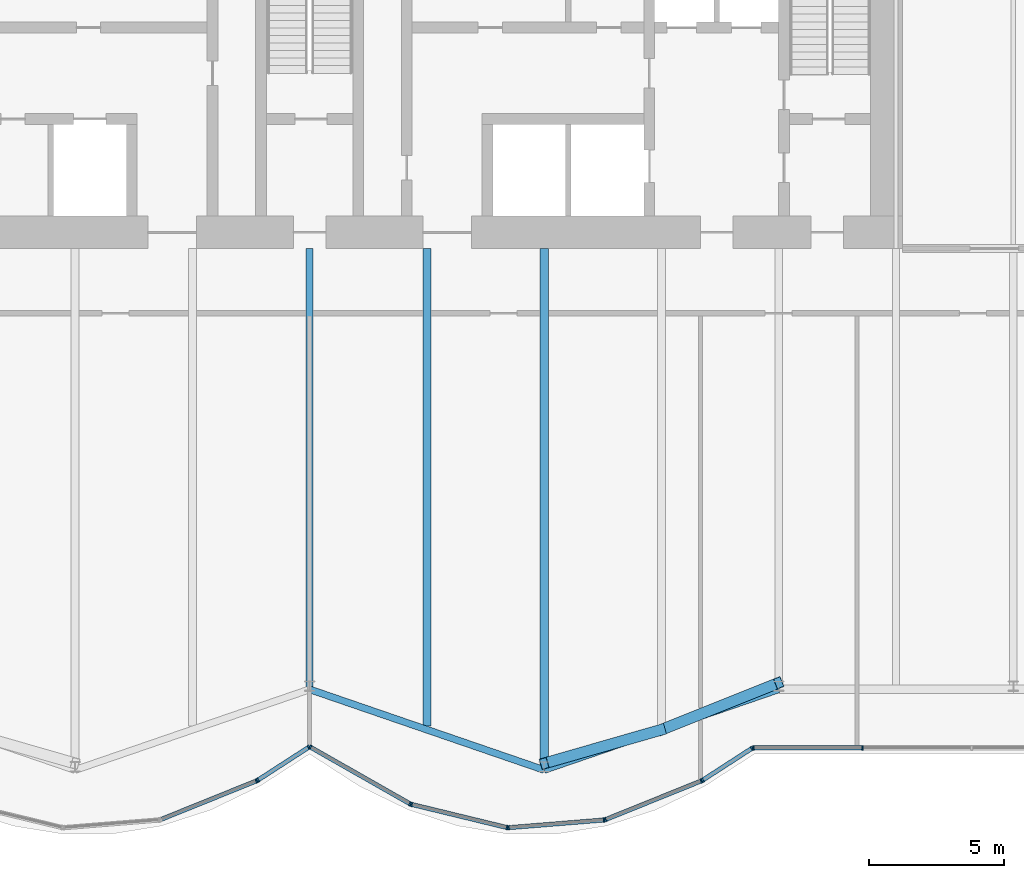
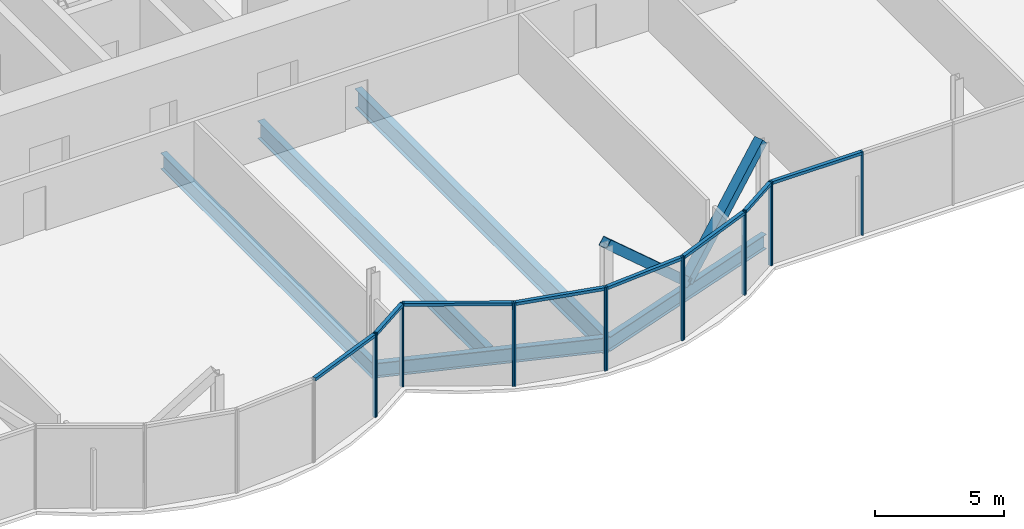
# One storey, part 8 of 20: 25 members, 5 beams, 3 elements without a shape of their own.
"""IFC4 building model written with IfcOpenShell, lengths in metres."""

from ifc_helpers import new_model, si_unit, direction, frame, origin, origin_2d, place, context, subcontext, project, spatial, rectangle, hollow_rectangle, i_section, extrude, material, material_profile, profile_set, type_object, element, aggregate, save


model = new_model("IFC4")

# Units and contexts
model_context = context("Model", 3, precision=1e-05, world=origin(), true_north=direction((0.0, 1.0)))
body_context = subcontext(model_context, "Body", "Model", "MODEL_VIEW")
ifc_project = project(units=[si_unit("LENGTHUNIT", "METRE"), si_unit("AREAUNIT", "SQUARE_METRE"), si_unit("VOLUMEUNIT", "CUBIC_METRE"), si_unit("PLANEANGLEUNIT", "RADIAN"), si_unit("MASSUNIT", "GRAM", prefix="KILO")], contexts=[model_context])

# Site, building, storey
site_placement = place(None, origin())
site = spatial("IfcSite", under=ifc_project, at=site_placement, CompositionType="ELEMENT")
building_placement = place(site_placement, origin())
building = spatial("IfcBuilding", under=site, at=building_placement, Name="Bicima Exchange Tower", CompositionType="ELEMENT")
storey_placement = place(building_placement, frame((0.0, 0.0, 215.5)))
storey = spatial("IfcBuildingStorey", under=building, at=storey_placement, Name="L48", CompositionType="ELEMENT", Elevation=215.5)

# Beams
ifc_material_1 = material(Name="Steel ASTM A992 Gr 50", Category="steel")
ifc_material_profile_1 = material_profile(ifc_material_1, i_section(OverallWidth=0.2666015625, OverallDepth=0.75439453125, WebThickness=0.01318359375, FlangeThickness=0.01708984375, at=origin_2d()))
ifc_profile_set_1 = profile_set([ifc_material_profile_1], Name="Steel ASTM A992 Gr 50")
beam_type_1 = type_object("IfcBeamType", Name="Floor beam W30x99", PredefinedType="JOIST", material=ifc_profile_set_1)
beam_1_placement = place(storey_placement, frame((0.0, -13.0, -0.527099609375), z_axis=(0.0, -1.0, 0.0), x_axis=(1.0, 0.0, 0.0)))
element("IfcBeam", 1, at=beam_1_placement, inside=storey, type_object=beam_type_1, Name="Floor beam", PredefinedType="JOIST", context=body_context, shape_type="SweptSolid", body=[
    extrude(i_section(OverallWidth=0.2666015625, OverallDepth=0.75439453125, WebThickness=0.01318359375, FlangeThickness=0.01708984375, at=origin_2d()), origin(), (0.0, 0.0, 1.0), 16.35205078125),
])
ifc_material_profile_2 = material_profile(ifc_material_1, i_section(OverallWidth=0.2919921875, OverallDepth=0.835693359375, WebThickness=0.013916015625, FlangeThickness=0.018798828125, at=origin_2d()))
ifc_profile_set_2 = profile_set([ifc_material_profile_2], Name="Steel ASTM A992 Gr 50")
beam_type_2 = type_object("IfcBeamType", Name="Floor beam W33x118", PredefinedType="JOIST", material=ifc_profile_set_2)
beam_2_placement = place(storey_placement, frame((4.35009765625, -13.0, -0.56787109375), z_axis=(0.0, -1.0, 0.0), x_axis=(1.0, 0.0, 0.0)))
element("IfcBeam", 2, at=beam_2_placement, inside=storey, type_object=beam_type_2, Name="Floor beam", PredefinedType="JOIST", context=body_context, shape_type="SweptSolid", body=[
    extrude(i_section(OverallWidth=0.2919921875, OverallDepth=0.835693359375, WebThickness=0.013916015625, FlangeThickness=0.018798828125, at=origin_2d()), origin(), (0.0, 0.0, 1.0), 17.7119140625),
])
ifc_material_profile_3 = material_profile(ifc_material_1, i_section(OverallWidth=0.3046875, OverallDepth=0.904296875, WebThickness=0.01513671875, FlangeThickness=0.02001953125, at=origin_2d()))
ifc_profile_set_3 = profile_set([ifc_material_profile_3], Name="Steel ASTM A992 Gr 50")
beam_type_3 = type_object("IfcBeamType", Name="Floor beam W36x135", PredefinedType="JOIST", material=ifc_profile_set_3)
beam_3_placement = place(storey_placement, frame((8.699951171875, -13.0, -0.60205078125), z_axis=(0.0, -1.0, 0.0), x_axis=(1.0, 0.0, 0.0)))
element("IfcBeam", 3, at=beam_3_placement, inside=storey, type_object=beam_type_3, Name="Floor beam", PredefinedType="JOIST", context=body_context, shape_type="SweptSolid", body=[
    extrude(i_section(OverallWidth=0.3046875, OverallDepth=0.904296875, WebThickness=0.01513671875, FlangeThickness=0.02001953125, at=origin_2d()), origin(), (0.0, 0.0, 1.0), 19.20751953125),
])
ifc_material_profile_4 = material_profile(ifc_material_1, i_section(OverallWidth=0.256591796875, OverallDepth=0.693359375, WebThickness=0.014404296875, FlangeThickness=0.023681640625, at=origin_2d()))
ifc_profile_set_4 = profile_set([ifc_material_profile_4], Name="Steel ASTM A992 Gr 50")
beam_type_4 = type_object("IfcBeamType", Name="Front girder W27x114", PredefinedType="BEAM", material=ifc_profile_set_4)
for number, where, z_axis, x_axis, name in (
    (4, (0.0, -29.35205078125, -0.49658203125), (0.945674616091, -0.32511462668, 0.0), (0.32511462668, 0.945674616091, 0.0), "Front girder"),
    (5, (8.699951171875, -32.343017578125, -0.49658203125), (0.945674616091, 0.32511462668, 0.0), (-0.32511462668, 0.945674616091, 0.0), "Front girder"),
):
    element("IfcBeam", number, at=place(storey_placement, frame(where, z_axis=z_axis, x_axis=x_axis)), inside=storey, type_object=beam_type_4, Name=name, PredefinedType="BEAM", context=body_context, shape_type="SweptSolid", body=[
        extrude(i_section(OverallWidth=0.256591796875, OverallDepth=0.693359375, WebThickness=0.014404296875, FlangeThickness=0.023681640625, at=origin_2d()), origin(), (0.0, 0.0, 1.0), 9.19970703125),
    ])

# Curtain wall, members
ifc_material_2 = material(Name="Anodised bronze aluminium", Category="aluminium")
curtain_wall_type = type_object("IfcCurtainWallType", Name="Front glass wall", PredefinedType="NOTDEFINED", material=ifc_material_2)
curtain_wall_1_placement = place(storey_placement, origin())
curtain_wall_1 = element("IfcCurtainWall", 6, at=curtain_wall_1_placement, inside=storey, type_object=curtain_wall_type, Name="Front glass wall L48 run 6", PredefinedType="NOTDEFINED")
ifc_material_profile_5 = material_profile(ifc_material_2, rectangle(XDim=0.159912109375, YDim=0.06005859375, at=origin_2d()))
ifc_profile_set_5 = profile_set([ifc_material_profile_5], Name="Anodised bronze aluminium")
member_type_1 = type_object("IfcMemberType", Name="Front glass wall mullion 60 x 160", PredefinedType="MULLION", material=ifc_profile_set_5)
member_1_placement = place(storey_placement, frame((-1.97412109375, -32.74755859375, 0.0), z_axis=(0.0, 0.0, 1.0), x_axis=(-0.374705304, 0.92714396679, 0.0)))
member_1 = element("IfcMember", 7, at=member_1_placement, type_object=member_type_1, Name="Front glass wall mullion 2", PredefinedType="MULLION", context=body_context, shape_type="SweptSolid", body=[
    extrude(rectangle(XDim=0.159912109375, YDim=0.06005859375, at=origin_2d()), origin(), (0.0, 0.0, 1.0), 3.949951171875),
])
member_2_placement = place(storey_placement, frame((-1.921142578125, -32.72021484375, 0.0), z_axis=(0.0, 0.0, 1.0), x_axis=(-0.542897457326, 0.839798994301, 0.0)))
member_2 = element("IfcMember", 8, at=member_2_placement, type_object=member_type_1, Name="Front glass wall mullion 1", PredefinedType="MULLION", context=body_context, shape_type="SweptSolid", body=[
    extrude(rectangle(XDim=0.159912109375, YDim=0.06005859375, at=origin_2d()), origin(), (0.0, 0.0, 1.0), 3.949951171875),
])
member_3_placement = place(storey_placement, frame((-0.025146484375, -31.494384765625, 0.0), z_axis=(0.0, 0.0, 1.0), x_axis=(-0.542897457326, 0.839798994301, 0.0)))
member_3 = element("IfcMember", 9, at=member_3_placement, type_object=member_type_1, Name="Front glass wall mullion 2", PredefinedType="MULLION", context=body_context, shape_type="SweptSolid", body=[
    extrude(rectangle(XDim=0.159912109375, YDim=0.06005859375, at=origin_2d()), origin(), (0.0, 0.0, 1.0), 3.949951171875),
])

curtain_wall_2_placement = place(storey_placement, origin())
curtain_wall_2 = element("IfcCurtainWall", 10, at=curtain_wall_2_placement, inside=storey, type_object=curtain_wall_type, Name="Front glass wall L48 run 11", PredefinedType="NOTDEFINED")
member_4_placement = place(storey_placement, frame((0.026123046875, -31.492919921875, 0.0), z_axis=(0.0, 0.0, 1.0), x_axis=(0.494330311331, 0.869274147378, 0.0)))
member_4 = element("IfcMember", 11, at=member_4_placement, type_object=member_type_1, Name="Front glass wall mullion 1", PredefinedType="MULLION", context=body_context, shape_type="SweptSolid", body=[
    extrude(rectangle(XDim=0.159912109375, YDim=0.06005859375, at=origin_2d()), origin(), (0.0, 0.0, 1.0), 3.949951171875),
])
member_5_placement = place(storey_placement, frame((3.7265625, -33.597412109375, 0.0), z_axis=(0.0, 0.0, 1.0), x_axis=(0.494330311331, 0.869274147378, 0.0)))
member_5 = element("IfcMember", 12, at=member_5_placement, type_object=member_type_1, Name="Front glass wall mullion 2", PredefinedType="MULLION", context=body_context, shape_type="SweptSolid", body=[
    extrude(rectangle(XDim=0.159912109375, YDim=0.06005859375, at=origin_2d()), origin(), (0.0, 0.0, 1.0), 3.949951171875),
])
member_6_placement = place(storey_placement, frame((3.781982421875, -33.619384765625, 0.0), z_axis=(0.0, 0.0, 1.0), x_axis=(0.235681529503, 0.971830343553, 0.0)))
member_6 = element("IfcMember", 13, at=member_6_placement, type_object=member_type_1, Name="Front glass wall mullion 1", PredefinedType="MULLION", context=body_context, shape_type="SweptSolid", body=[
    extrude(rectangle(XDim=0.159912109375, YDim=0.06005859375, at=origin_2d()), origin(), (0.0, 0.0, 1.0), 3.949951171875),
])
member_7_placement = place(storey_placement, frame((7.322509765625, -34.477783203125, 0.0), z_axis=(0.0, 0.0, 1.0), x_axis=(0.235681529503, 0.971830343553, 0.0)))
member_7 = element("IfcMember", 14, at=member_7_placement, type_object=member_type_1, Name="Front glass wall mullion 2", PredefinedType="MULLION", context=body_context, shape_type="SweptSolid", body=[
    extrude(rectangle(XDim=0.159912109375, YDim=0.06005859375, at=origin_2d()), origin(), (0.0, 0.0, 1.0), 3.949951171875),
])
member_8_placement = place(storey_placement, frame((7.381591796875, -34.482666015625, 0.0), z_axis=(0.0, 0.0, 1.0), x_axis=(-0.080588612633, 0.99674744821, 0.0)))
member_8 = element("IfcMember", 15, at=member_8_placement, type_object=member_type_1, Name="Front glass wall mullion 1", PredefinedType="MULLION", context=body_context, shape_type="SweptSolid", body=[
    extrude(rectangle(XDim=0.159912109375, YDim=0.06005859375, at=origin_2d()), origin(), (0.0, 0.0, 1.0), 3.949951171875),
])
member_9_placement = place(storey_placement, frame((10.916015625, -34.19677734375, 0.0), z_axis=(0.0, 0.0, 1.0), x_axis=(-0.080588612633, 0.99674744821, 0.0)))
member_9 = element("IfcMember", 16, at=member_9_placement, type_object=member_type_1, Name="Front glass wall mullion 2", PredefinedType="MULLION", context=body_context, shape_type="SweptSolid", body=[
    extrude(rectangle(XDim=0.159912109375, YDim=0.06005859375, at=origin_2d()), origin(), (0.0, 0.0, 1.0), 3.949951171875),
])
member_10_placement = place(storey_placement, frame((10.973876953125, -34.18310546875, 0.0), z_axis=(0.0, 0.0, 1.0), x_axis=(-0.374705304, 0.92714396679, 0.0)))
member_10 = element("IfcMember", 17, at=member_10_placement, type_object=member_type_1, Name="Front glass wall mullion 1", PredefinedType="MULLION", context=body_context, shape_type="SweptSolid", body=[
    extrude(rectangle(XDim=0.159912109375, YDim=0.06005859375, at=origin_2d()), origin(), (0.0, 0.0, 1.0), 3.949951171875),
])
member_11_placement = place(storey_placement, frame((14.52587890625, -32.74755859375, 0.0), z_axis=(0.0, 0.0, 1.0), x_axis=(-0.374705304, 0.92714396679, 0.0)))
member_11 = element("IfcMember", 18, at=member_11_placement, type_object=member_type_1, Name="Front glass wall mullion 2", PredefinedType="MULLION", context=body_context, shape_type="SweptSolid", body=[
    extrude(rectangle(XDim=0.159912109375, YDim=0.06005859375, at=origin_2d()), origin(), (0.0, 0.0, 1.0), 3.949951171875),
])
member_12_placement = place(storey_placement, frame((14.578857421875, -32.72021484375, 0.0), z_axis=(0.0, 0.0, 1.0), x_axis=(-0.542909183079, 0.839791413941, 0.0)))
member_12 = element("IfcMember", 19, at=member_12_placement, type_object=member_type_1, Name="Front glass wall mullion 1", PredefinedType="MULLION", context=body_context, shape_type="SweptSolid", body=[
    extrude(rectangle(XDim=0.159912109375, YDim=0.06005859375, at=origin_2d()), origin(), (0.0, 0.0, 1.0), 3.949951171875),
])
member_13_placement = place(storey_placement, frame((16.406982421875, -31.538330078125, 0.0), z_axis=(0.0, 0.0, 1.0), x_axis=(-0.542909183079, 0.839791413941, 0.0)))
member_13 = element("IfcMember", 20, at=member_13_placement, type_object=member_type_1, Name="Front glass wall mullion 2", PredefinedType="MULLION", context=body_context, shape_type="SweptSolid", body=[
    extrude(rectangle(XDim=0.159912109375, YDim=0.06005859375, at=origin_2d()), origin(), (0.0, 0.0, 1.0), 3.949951171875),
])

curtain_wall_3_placement = place(storey_placement, origin())
curtain_wall_3 = element("IfcCurtainWall", 21, at=curtain_wall_3_placement, inside=storey, type_object=curtain_wall_type, Name="Front glass wall L48 run 16", PredefinedType="NOTDEFINED")
member_14_placement = place(storey_placement, frame((16.462158203125, -31.52197265625, 0.0), z_axis=(0.0, 0.0, 1.0), x_axis=(0.0, 1.0, 0.0)))
member_14 = element("IfcMember", 22, at=member_14_placement, type_object=member_type_1, Name="Front glass wall mullion 1", PredefinedType="MULLION", context=body_context, shape_type="SweptSolid", body=[
    extrude(rectangle(XDim=0.159912109375, YDim=0.06005859375, at=origin_2d()), origin(), (0.0, 0.0, 1.0), 3.949951171875),
])
member_15_placement = place(storey_placement, frame((20.51171875, -31.52197265625, 0.0), z_axis=(0.0, 0.0, 1.0), x_axis=(0.0, 1.0, 0.0)))
member_15 = element("IfcMember", 23, at=member_15_placement, type_object=member_type_1, Name="Front glass wall mullion 2", PredefinedType="MULLION", context=body_context, shape_type="SweptSolid", body=[
    extrude(rectangle(XDim=0.159912109375, YDim=0.06005859375, at=origin_2d()), origin(), (0.0, 0.0, 1.0), 3.949951171875),
])

# Member
ifc_material_profile_6 = material_profile(ifc_material_2, rectangle(XDim=0.159912109375, YDim=0.139892578125, at=origin_2d()))
ifc_profile_set_6 = profile_set([ifc_material_profile_6], Name="Anodised bronze aluminium")
member_type_2 = type_object("IfcMemberType", Name="Front glass wall transom 140 x 160", PredefinedType="USERDEFINED", material=ifc_profile_set_6)
member_16_placement = place(storey_placement, frame((-5.498291015625, -34.171875, 3.8798828125), z_axis=(0.927140215882, 0.374714584842, 0.0), x_axis=(-0.374714584842, 0.927140215882, 0.0)))
member_16 = element("IfcMember", 24, at=member_16_placement, type_object=member_type_2, Name="Front glass wall transom 1.1", ObjectType="TRANSOM", PredefinedType="USERDEFINED", context=body_context, shape_type="SweptSolid", body=[
    extrude(rectangle(XDim=0.159912109375, YDim=0.139892578125, at=origin_2d()), origin(), (0.0, 0.0, 1.0), 3.77099609375),
])

member_17_placement = place(storey_placement, frame((-1.89599609375, -32.703857421875, 3.8798828125), z_axis=(0.839811483481, 0.542878137536, 0.0), x_axis=(-0.542878137536, 0.839811483481, 0.0)))
member_17 = element("IfcMember", 25, at=member_17_placement, type_object=member_type_2, Name="Front glass wall transom 1.1", ObjectType="TRANSOM", PredefinedType="USERDEFINED", context=body_context, shape_type="SweptSolid", body=[
    extrude(rectangle(XDim=0.159912109375, YDim=0.139892578125, at=origin_2d()), origin(), (0.0, 0.0, 1.0), 2.19775390625),
])

aggregate(curtain_wall_1, [member_1, member_16, member_2, member_3, member_17])

member_18_placement = place(storey_placement, frame((0.05224609375, -31.5078125, 3.8798828125), z_axis=(0.869265121745, -0.494346182466, 0.0), x_axis=(0.494346182466, 0.869265121745, 0.0)))
member_18 = element("IfcMember", 26, at=member_18_placement, type_object=member_type_2, Name="Front glass wall transom 1.1", ObjectType="TRANSOM", PredefinedType="USERDEFINED", context=body_context, shape_type="SweptSolid", body=[
    extrude(rectangle(XDim=0.159912109375, YDim=0.139892578125, at=origin_2d()), origin(), (0.0, 0.0, 1.0), 4.19677734375),
])

member_19_placement = place(storey_placement, frame((3.81103515625, -33.626220703125, 3.8798828125), z_axis=(0.971817951661, -0.235732621477, 0.0), x_axis=(0.235732621477, 0.971817951661, 0.0)))
member_19 = element("IfcMember", 27, at=member_19_placement, type_object=member_type_2, Name="Front glass wall transom 1.1", ObjectType="TRANSOM", PredefinedType="USERDEFINED", context=body_context, shape_type="SweptSolid", body=[
    extrude(rectangle(XDim=0.159912109375, YDim=0.139892578125, at=origin_2d()), origin(), (0.0, 0.0, 1.0), 3.58349609375),
])

member_20_placement = place(storey_placement, frame((7.41162109375, -34.480224609375, 3.8798828125), z_axis=(0.9967456465, 0.080610893699, 0.0), x_axis=(-0.080610893699, 0.9967456465, 0.0)))
member_20 = element("IfcMember", 28, at=member_20_placement, type_object=member_type_2, Name="Front glass wall transom 1.1", ObjectType="TRANSOM", PredefinedType="USERDEFINED", context=body_context, shape_type="SweptSolid", body=[
    extrude(rectangle(XDim=0.159912109375, YDim=0.139892578125, at=origin_2d()), origin(), (0.0, 0.0, 1.0), 3.48583984375),
])

member_21_placement = place(storey_placement, frame((11.001708984375, -34.171875, 3.8798828125), z_axis=(0.927140215882, 0.374714584842, 0.0), x_axis=(-0.374714584842, 0.927140215882, 0.0)))
member_21 = element("IfcMember", 29, at=member_21_placement, type_object=member_type_2, Name="Front glass wall transom 1.1", ObjectType="TRANSOM", PredefinedType="USERDEFINED", context=body_context, shape_type="SweptSolid", body=[
    extrude(rectangle(XDim=0.159912109375, YDim=0.139892578125, at=origin_2d()), origin(), (0.0, 0.0, 1.0), 3.77099609375),
])

member_22_placement = place(storey_placement, frame((14.60400390625, -32.703857421875, 3.8798828125), z_axis=(0.839792890287, 0.542906899407, 0.0), x_axis=(-0.542906899407, 0.839792890287, 0.0)))
member_22 = element("IfcMember", 30, at=member_22_placement, type_object=member_type_2, Name="Front glass wall transom 1.1", ObjectType="TRANSOM", PredefinedType="USERDEFINED", context=body_context, shape_type="SweptSolid", body=[
    extrude(rectangle(XDim=0.159912109375, YDim=0.139892578125, at=origin_2d()), origin(), (0.0, 0.0, 1.0), 2.11669921875),
])

aggregate(curtain_wall_2, [member_4, member_5, member_18, member_6, member_7, member_19, member_8, member_9, member_20, member_10, member_11, member_21, member_12, member_13, member_22])

member_23_placement = place(storey_placement, frame((16.4921875, -31.52197265625, 3.8798828125), z_axis=(1.0, 0.0, 0.0), x_axis=(0.0, 1.0, 0.0)))
member_23 = element("IfcMember", 31, at=member_23_placement, type_object=member_type_2, Name="Front glass wall transom 1.1", ObjectType="TRANSOM", PredefinedType="USERDEFINED", context=body_context, shape_type="SweptSolid", body=[
    extrude(rectangle(XDim=0.159912109375, YDim=0.139892578125, at=origin_2d()), origin(), (0.0, 0.0, 1.0), 3.989501953125),
])

aggregate(curtain_wall_3, [member_14, member_15, member_23])

# Members
ifc_material_3 = material(Name="Steel ASTM A572 Gr 50", Category="steel")
ifc_material_profile_7 = material_profile(ifc_material_3, hollow_rectangle(XDim=0.406494140625, YDim=0.406494140625, WallThickness=0.0146484375, at=origin_2d()))
ifc_profile_set_7 = profile_set([ifc_material_profile_7], Name="Steel ASTM A572 Gr 50")
member_type_3 = type_object("IfcMemberType", Name="Mega brace HSS16x16x5/8", PredefinedType="BRACE", material=ifc_profile_set_7)
member_24_placement = place(storey_placement, frame((13.050048828125, -30.847412109375, 0.0), z_axis=(0.69870612412, 0.279411861388, 0.658588463179), x_axis=(-0.371309808925, 0.928509033772, 0.0)))
element("IfcMember", 32, at=member_24_placement, inside=storey, type_object=member_type_3, Name="Mega brace front", PredefinedType="BRACE", context=body_context, shape_type="SweptSolid", body=[
    extrude(hollow_rectangle(XDim=0.406494140625, YDim=0.406494140625, WallThickness=0.0146484375, at=origin_2d()), origin(), (0.0, 0.0, 1.0), 6.2255859375),
])
member_25_placement = place(storey_placement, frame((13.050048828125, -30.847412109375, 0.0), z_axis=(-0.712261059137, -0.204947943102, 0.671327434457), x_axis=(0.276522876258, -0.961007335511, 0.0)))
element("IfcMember", 33, at=member_25_placement, inside=storey, type_object=member_type_3, Name="Mega brace front", PredefinedType="BRACE", context=body_context, shape_type="SweptSolid", body=[
    extrude(hollow_rectangle(XDim=0.406494140625, YDim=0.406494140625, WallThickness=0.0146484375, at=origin_2d()), origin(), (0.0, 0.0, 1.0), 6.107421875),
])

save(model, "model.ifc")
